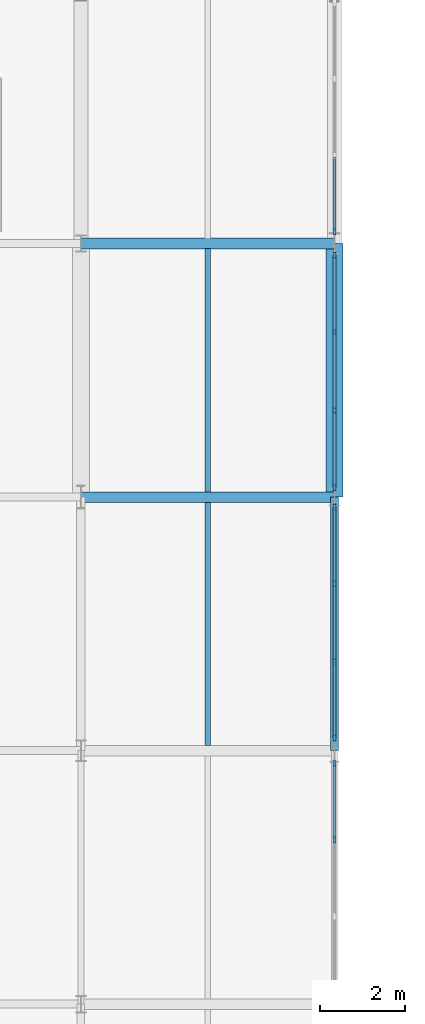
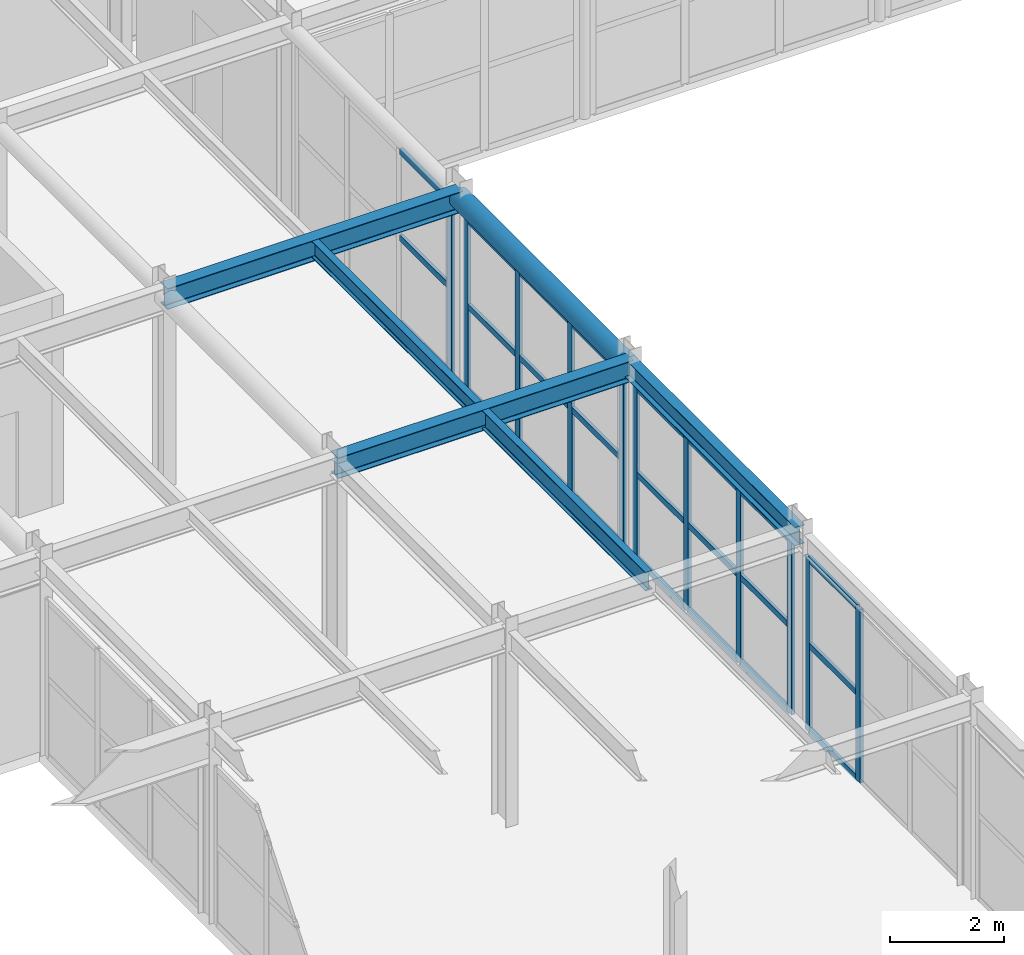
# One storey, part 29 of 84: 35 members, 6 beams, 4 elements without a shape of their own.
"""IFC4 building model written with IfcOpenShell, lengths in metres."""

from ifc_helpers import new_model, si_unit, direction, frame, origin, origin_2d, place, context, subcontext, project, spatial, rectangle, hollow_circle, i_section, extrude, material, material_profile, profile_set, type_object, element, aggregate, save


model = new_model("IFC4")

# Units and contexts
model_context = context("Model", 3, precision=1e-05, world=origin(), true_north=direction((0.0, 1.0)))
body_context = subcontext(model_context, "Body", "Model", "MODEL_VIEW")
ifc_project = project(units=[si_unit("LENGTHUNIT", "METRE"), si_unit("AREAUNIT", "SQUARE_METRE"), si_unit("VOLUMEUNIT", "CUBIC_METRE"), si_unit("PLANEANGLEUNIT", "RADIAN"), si_unit("MASSUNIT", "GRAM", prefix="KILO")], contexts=[model_context])

# Site, building, storey
site_placement = place(None, origin())
site = spatial("IfcSite", under=ifc_project, at=site_placement, CompositionType="ELEMENT")
building_placement = place(site_placement, origin())
building = spatial("IfcBuilding", under=site, at=building_placement, Name="Varnakota Square Police Headquarters", CompositionType="ELEMENT")
storey_placement = place(building_placement, frame((0.0, 0.0, 13.5)))
storey = spatial("IfcBuildingStorey", under=building, at=storey_placement, Name="L03", CompositionType="ELEMENT", Elevation=13.5)

# Beams
ifc_material_1 = material(Name="Steel IS 2062 Grade 350", Category="steel")
ifc_material_profile_1 = material_profile(ifc_material_1, hollow_circle(Radius=0.203125, WallThickness=0.01611328125, at=origin_2d()), Name="CHS 406.4x16.0")
ifc_profile_set_1 = profile_set([ifc_material_profile_1], Name="Steel IS 2062 Grade 350")
beam_type_1 = type_object("IfcBeamType", Name="BM-ARC-CHS406", PredefinedType="BEAM", material=ifc_profile_set_1)
beam_1_placement = place(storey_placement, frame((42.0, 57.0, 3.996826171875), z_axis=(0.0, 1.0, 0.0), x_axis=(-1.0, 0.0, 0.0)))
element("IfcBeam", 1, at=beam_1_placement, inside=storey, type_object=beam_type_1, Name="BMG-L03-2659", PredefinedType="BEAM", context=body_context, shape_type="SweptSolid", body=[
    extrude(hollow_circle(Radius=0.203125, WallThickness=0.01611328125, at=origin_2d()), origin(), (0.0, 0.0, 1.0), 6.0),
])
ifc_material_profile_2 = material_profile(ifc_material_1, i_section(OverallWidth=0.25, OverallDepth=0.449951171875, WebThickness=0.01123046875, FlangeThickness=0.013671875, FilletRadius=0.014892578125, at=origin_2d()), Name="ISHB 450")
ifc_profile_set_2 = profile_set([ifc_material_profile_2], Name="Steel IS 2062 Grade 350")
beam_type_2 = type_object("IfcBeamType", Name="BM-ISHB450", PredefinedType="BEAM", material=ifc_profile_set_2)
for number, where, z_axis, x_axis, name in (
    (2, (36.0, 57.0, 3.97509765625), (1.0, 0.0, 0.0), (0.0, 1.0, 0.0), "BMG-L03-2501"),
    (3, (36.0, 63.0, 3.97509765625), (1.0, 0.0, 0.0), (0.0, 1.0, 0.0), "BMG-L03-2507"),
):
    element("IfcBeam", number, at=place(storey_placement, frame(where, z_axis=z_axis, x_axis=x_axis)), inside=storey, type_object=beam_type_2, Name=name, PredefinedType="BEAM", context=body_context, shape_type="SweptSolid", body=[
        extrude(i_section(OverallWidth=0.25, OverallDepth=0.449951171875, WebThickness=0.01123046875, FlangeThickness=0.013671875, FilletRadius=0.014892578125, at=origin_2d()), origin(), (0.0, 0.0, 1.0), 6.0),
    ])
ifc_material_profile_3 = material_profile(ifc_material_1, i_section(OverallWidth=0.139892578125, OverallDepth=0.35009765625, WebThickness=0.008056640625, FlangeThickness=0.01416015625, FilletRadius=0.013916015625, at=origin_2d()), Name="ISMB 350")
ifc_profile_set_3 = profile_set([ifc_material_profile_3], Name="Steel IS 2062 Grade 350")
beam_type_3 = type_object("IfcBeamType", Name="BM-ISMB350", PredefinedType="JOIST", material=ifc_profile_set_3)
beam_2_placement = place(storey_placement, frame((39.0, 57.123046875, 4.02490234375), z_axis=(0.0, 1.0, 0.0), x_axis=(-1.0, 0.0, 0.0)))
element("IfcBeam", 4, at=beam_2_placement, inside=storey, type_object=beam_type_3, Name="BMG-L03-2796", PredefinedType="JOIST", context=body_context, shape_type="SweptSolid", body=[
    extrude(i_section(OverallWidth=0.139892578125, OverallDepth=0.35009765625, WebThickness=0.008056640625, FlangeThickness=0.01416015625, FilletRadius=0.013916015625, at=origin_2d()), origin(), (0.0, 0.0, 1.0), 5.75390625),
])
ifc_material_profile_4 = material_profile(ifc_material_1, i_section(OverallWidth=0.139892578125, OverallDepth=0.39990234375, WebThickness=0.0087890625, FlangeThickness=0.01611328125, FilletRadius=0.013916015625, at=origin_2d()), Name="ISMB 400")
ifc_profile_set_4 = profile_set([ifc_material_profile_4], Name="Steel IS 2062 Grade 350")
beam_type_4 = type_object("IfcBeamType", Name="BM-ISMB400", PredefinedType="JOIST", material=ifc_profile_set_4)
beam_3_placement = place(storey_placement, frame((39.0, 51.123046875, 4.0), z_axis=(0.0, 1.0, 0.0), x_axis=(-1.0, 0.0, 0.0)))
element("IfcBeam", 5, at=beam_3_placement, inside=storey, type_object=beam_type_4, Name="BMG-L03-2795", PredefinedType="JOIST", context=body_context, shape_type="SweptSolid", body=[
    extrude(i_section(OverallWidth=0.139892578125, OverallDepth=0.39990234375, WebThickness=0.0087890625, FlangeThickness=0.01611328125, FilletRadius=0.013916015625, at=origin_2d()), origin(), (0.0, 0.0, 1.0), 5.75390625),
])
ifc_material_profile_5 = material_profile(ifc_material_1, i_section(OverallWidth=0.199951171875, OverallDepth=0.39990234375, WebThickness=0.008544921875, FlangeThickness=0.012939453125, FilletRadius=0.012939453125, at=origin_2d()), Name="ISWB 400")
ifc_profile_set_5 = profile_set([ifc_material_profile_5], Name="Steel IS 2062 Grade 350")
beam_type_5 = type_object("IfcBeamType", Name="BM-ISWB400", PredefinedType="BEAM", material=ifc_profile_set_5)
beam_4_placement = place(storey_placement, frame((42.0, 51.0, 4.0), z_axis=(0.0, 1.0, 0.0), x_axis=(-1.0, 0.0, 0.0)))
element("IfcBeam", 6, at=beam_4_placement, inside=storey, type_object=beam_type_5, Name="BMG-L03-2658", PredefinedType="BEAM", context=body_context, shape_type="SweptSolid", body=[
    extrude(i_section(OverallWidth=0.199951171875, OverallDepth=0.39990234375, WebThickness=0.008544921875, FlangeThickness=0.012939453125, FilletRadius=0.012939453125, at=origin_2d()), origin(), (0.0, 0.0, 1.0), 6.0),
])

# Curtain wall, members
ifc_material_2 = material(Name="Anodised Aluminium Framing", Category="aluminium")
curtain_wall_type = type_object("IfcCurtainWallType", Name="CW-SYS-D", PredefinedType="NOTDEFINED", material=ifc_material_2)
curtain_wall_1_placement = place(storey_placement, origin())
curtain_wall_1 = element("IfcCurtainWall", 7, at=curtain_wall_1_placement, inside=storey, type_object=curtain_wall_type, Name="Unitised curtain wall CWG-L03-170", PredefinedType="NOTDEFINED")
ifc_material_3 = material(Name="Anodised Aluminium 6063-T6", Category="aluminium")
ifc_material_profile_6 = material_profile(ifc_material_3, rectangle(XDim=0.06494140625, YDim=0.159912109375, at=origin_2d()), Name="ALU MULLION 65x160")
ifc_profile_set_6 = profile_set([ifc_material_profile_6], Name="Anodised Aluminium 6063-T6")
member_type_1 = type_object("IfcMemberType", Name="CWM-150", PredefinedType="MULLION", material=ifc_profile_set_6)
member_1_placement = place(storey_placement, frame((42.0, 48.8984375, 0.0), z_axis=(0.0, 0.0, 1.0), x_axis=(-1.0, 0.0, 0.0)))
member_1 = element("IfcMember", 8, at=member_1_placement, type_object=member_type_1, Name="CWG-L03-170 mullion 3", PredefinedType="MULLION", context=body_context, shape_type="SweptSolid", body=[
    extrude(rectangle(XDim=0.06494140625, YDim=0.159912109375, at=origin_2d()), origin(), (0.0, 0.0, 1.0), 3.739990234375),
])
member_2_placement = place(storey_placement, frame((42.0, 50.6875, 0.0), z_axis=(0.0, 0.0, 1.0), x_axis=(-1.0, 0.0, 0.0)))
member_2 = element("IfcMember", 9, at=member_2_placement, type_object=member_type_1, Name="CWG-L03-170 mullion 4", PredefinedType="MULLION", context=body_context, shape_type="SweptSolid", body=[
    extrude(rectangle(XDim=0.06494140625, YDim=0.159912109375, at=origin_2d()), origin(), (0.0, 0.0, 1.0), 3.739990234375),
])

curtain_wall_2_placement = place(storey_placement, origin())
curtain_wall_2 = element("IfcCurtainWall", 10, at=curtain_wall_2_placement, inside=storey, type_object=curtain_wall_type, Name="Unitised curtain wall CWG-L03-171", PredefinedType="NOTDEFINED")
member_3_placement = place(storey_placement, frame((42.0, 51.3125, 0.0), z_axis=(0.0, 0.0, 1.0), x_axis=(-1.0, 0.0, 0.0)))
member_3 = element("IfcMember", 11, at=member_3_placement, type_object=member_type_1, Name="CWG-L03-171 mullion 1", PredefinedType="MULLION", context=body_context, shape_type="SweptSolid", body=[
    extrude(rectangle(XDim=0.06494140625, YDim=0.159912109375, at=origin_2d()), origin(), (0.0, 0.0, 1.0), 3.739990234375),
])
member_4_placement = place(storey_placement, frame((42.0, 53.118408203125, 0.0), z_axis=(0.0, 0.0, 1.0), x_axis=(-1.0, 0.0, 0.0)))
member_4 = element("IfcMember", 12, at=member_4_placement, type_object=member_type_1, Name="CWG-L03-171 mullion 2", PredefinedType="MULLION", context=body_context, shape_type="SweptSolid", body=[
    extrude(rectangle(XDim=0.06494140625, YDim=0.159912109375, at=origin_2d()), origin(), (0.0, 0.0, 1.0), 3.739990234375),
])
member_5_placement = place(storey_placement, frame((42.0, 54.956787109375, 0.0), z_axis=(0.0, 0.0, 1.0), x_axis=(-1.0, 0.0, 0.0)))
member_5 = element("IfcMember", 13, at=member_5_placement, type_object=member_type_1, Name="CWG-L03-171 mullion 3", PredefinedType="MULLION", context=body_context, shape_type="SweptSolid", body=[
    extrude(rectangle(XDim=0.06494140625, YDim=0.159912109375, at=origin_2d()), origin(), (0.0, 0.0, 1.0), 3.739990234375),
])
member_6_placement = place(storey_placement, frame((42.0, 56.762451171875, 0.0), z_axis=(0.0, 0.0, 1.0), x_axis=(-1.0, 0.0, 0.0)))
member_6 = element("IfcMember", 14, at=member_6_placement, type_object=member_type_1, Name="CWG-L03-171 mullion 4", PredefinedType="MULLION", context=body_context, shape_type="SweptSolid", body=[
    extrude(rectangle(XDim=0.06494140625, YDim=0.159912109375, at=origin_2d()), origin(), (0.0, 0.0, 1.0), 3.739990234375),
])

curtain_wall_3_placement = place(storey_placement, origin())
curtain_wall_3 = element("IfcCurtainWall", 15, at=curtain_wall_3_placement, inside=storey, type_object=curtain_wall_type, Name="Unitised curtain wall CWG-L03-172", PredefinedType="NOTDEFINED")
member_7_placement = place(storey_placement, frame((42.0, 57.237548828125, 0.0), z_axis=(0.0, 0.0, 1.0), x_axis=(-1.0, 0.0, 0.0)))
member_7 = element("IfcMember", 16, at=member_7_placement, type_object=member_type_1, Name="CWG-L03-172 mullion 1", PredefinedType="MULLION", context=body_context, shape_type="SweptSolid", body=[
    extrude(rectangle(XDim=0.06494140625, YDim=0.159912109375, at=origin_2d()), origin(), (0.0, 0.0, 1.0), 3.739990234375),
])
member_8_placement = place(storey_placement, frame((42.0, 59.0517578125, 0.0), z_axis=(0.0, 0.0, 1.0), x_axis=(-1.0, 0.0, 0.0)))
member_8 = element("IfcMember", 17, at=member_8_placement, type_object=member_type_1, Name="CWG-L03-172 mullion 2", PredefinedType="MULLION", context=body_context, shape_type="SweptSolid", body=[
    extrude(rectangle(XDim=0.06494140625, YDim=0.159912109375, at=origin_2d()), origin(), (0.0, 0.0, 1.0), 3.739990234375),
])
member_9_placement = place(storey_placement, frame((42.0, 60.8984375, 0.0), z_axis=(0.0, 0.0, 1.0), x_axis=(-1.0, 0.0, 0.0)))
member_9 = element("IfcMember", 18, at=member_9_placement, type_object=member_type_1, Name="CWG-L03-172 mullion 3", PredefinedType="MULLION", context=body_context, shape_type="SweptSolid", body=[
    extrude(rectangle(XDim=0.06494140625, YDim=0.159912109375, at=origin_2d()), origin(), (0.0, 0.0, 1.0), 3.739990234375),
])
member_10_placement = place(storey_placement, frame((42.0, 62.71240234375, 0.0), z_axis=(0.0, 0.0, 1.0), x_axis=(-1.0, 0.0, 0.0)))
member_10 = element("IfcMember", 19, at=member_10_placement, type_object=member_type_1, Name="CWG-L03-172 mullion 4", PredefinedType="MULLION", context=body_context, shape_type="SweptSolid", body=[
    extrude(rectangle(XDim=0.06494140625, YDim=0.159912109375, at=origin_2d()), origin(), (0.0, 0.0, 1.0), 3.739990234375),
])

# Curtain wall, member
curtain_wall_4_placement = place(storey_placement, origin())
curtain_wall_4 = element("IfcCurtainWall", 20, at=curtain_wall_4_placement, inside=storey, type_object=curtain_wall_type, Name="Unitised curtain wall CWG-L03-173", PredefinedType="NOTDEFINED")
member_11_placement = place(storey_placement, frame((42.0, 63.28759765625, 0.0), z_axis=(0.0, 0.0, 1.0), x_axis=(-1.0, 0.0, 0.0)))
member_11 = element("IfcMember", 21, at=member_11_placement, type_object=member_type_1, Name="CWG-L03-173 mullion 1", PredefinedType="MULLION", context=body_context, shape_type="SweptSolid", body=[
    extrude(rectangle(XDim=0.06494140625, YDim=0.159912109375, at=origin_2d()), origin(), (0.0, 0.0, 1.0), 3.78369140625),
])

# Member
ifc_material_profile_7 = material_profile(ifc_material_3, rectangle(XDim=0.06494140625, YDim=0.1298828125, at=origin_2d()), Name="ALU TRANSOM 65x130")
ifc_profile_set_7 = profile_set([ifc_material_profile_7], Name="Anodised Aluminium 6063-T6")
member_type_2 = type_object("IfcMemberType", Name="CWT-120", PredefinedType="USERDEFINED", material=ifc_profile_set_7)
member_12_placement = place(storey_placement, frame((42.0, 48.930908203125, 0.032470703125), z_axis=(0.0, 1.0, 0.0), x_axis=(-1.0, 0.0, 0.0)))
member_12 = element("IfcMember", 22, at=member_12_placement, type_object=member_type_2, Name="CWG-L03-170 transom 3.1", ObjectType="TRANSOM", PredefinedType="USERDEFINED", context=body_context, shape_type="SweptSolid", body=[
    extrude(rectangle(XDim=0.06494140625, YDim=0.1298828125, at=origin_2d()), origin(), (0.0, 0.0, 1.0), 1.72412109375),
])

member_13_placement = place(storey_placement, frame((42.0, 48.930908203125, 1.8701171875), z_axis=(0.0, 1.0, 0.0), x_axis=(-1.0, 0.0, 0.0)))
member_13 = element("IfcMember", 23, at=member_13_placement, type_object=member_type_2, Name="CWG-L03-170 transom 3.2", ObjectType="TRANSOM", PredefinedType="USERDEFINED", context=body_context, shape_type="SweptSolid", body=[
    extrude(rectangle(XDim=0.06494140625, YDim=0.1298828125, at=origin_2d()), origin(), (0.0, 0.0, 1.0), 1.72412109375),
])

member_14_placement = place(storey_placement, frame((42.0, 48.930908203125, 3.70751953125), z_axis=(0.0, 1.0, 0.0), x_axis=(-1.0, 0.0, 0.0)))
member_14 = element("IfcMember", 24, at=member_14_placement, type_object=member_type_2, Name="CWG-L03-170 transom 3.3", ObjectType="TRANSOM", PredefinedType="USERDEFINED", context=body_context, shape_type="SweptSolid", body=[
    extrude(rectangle(XDim=0.06494140625, YDim=0.1298828125, at=origin_2d()), origin(), (0.0, 0.0, 1.0), 1.72412109375),
])

aggregate(curtain_wall_1, [member_1, member_2, member_12, member_13, member_14])

member_15_placement = place(storey_placement, frame((42.0, 51.344970703125, 0.032470703125), z_axis=(0.0, 1.0, 0.0), x_axis=(-1.0, 0.0, 0.0)))
member_15 = element("IfcMember", 25, at=member_15_placement, type_object=member_type_2, Name="CWG-L03-171 transom 1.1", ObjectType="TRANSOM", PredefinedType="USERDEFINED", context=body_context, shape_type="SweptSolid", body=[
    extrude(rectangle(XDim=0.06494140625, YDim=0.1298828125, at=origin_2d()), origin(), (0.0, 0.0, 1.0), 1.740966796875),
])

member_16_placement = place(storey_placement, frame((42.0, 51.344970703125, 1.8701171875), z_axis=(0.0, 1.0, 0.0), x_axis=(-1.0, 0.0, 0.0)))
member_16 = element("IfcMember", 26, at=member_16_placement, type_object=member_type_2, Name="CWG-L03-171 transom 1.2", ObjectType="TRANSOM", PredefinedType="USERDEFINED", context=body_context, shape_type="SweptSolid", body=[
    extrude(rectangle(XDim=0.06494140625, YDim=0.1298828125, at=origin_2d()), origin(), (0.0, 0.0, 1.0), 1.740966796875),
])

member_17_placement = place(storey_placement, frame((42.0, 51.344970703125, 3.70751953125), z_axis=(0.0, 1.0, 0.0), x_axis=(-1.0, 0.0, 0.0)))
member_17 = element("IfcMember", 27, at=member_17_placement, type_object=member_type_2, Name="CWG-L03-171 transom 1.3", ObjectType="TRANSOM", PredefinedType="USERDEFINED", context=body_context, shape_type="SweptSolid", body=[
    extrude(rectangle(XDim=0.06494140625, YDim=0.1298828125, at=origin_2d()), origin(), (0.0, 0.0, 1.0), 1.740966796875),
])

member_18_placement = place(storey_placement, frame((42.0, 53.15087890625, 0.032470703125), z_axis=(0.0, 1.0, 0.0), x_axis=(-1.0, 0.0, 0.0)))
member_18 = element("IfcMember", 28, at=member_18_placement, type_object=member_type_2, Name="CWG-L03-171 transom 2.1", ObjectType="TRANSOM", PredefinedType="USERDEFINED", context=body_context, shape_type="SweptSolid", body=[
    extrude(rectangle(XDim=0.06494140625, YDim=0.1298828125, at=origin_2d()), origin(), (0.0, 0.0, 1.0), 1.773193359375),
])

member_19_placement = place(storey_placement, frame((42.0, 53.15087890625, 1.8701171875), z_axis=(0.0, 1.0, 0.0), x_axis=(-1.0, 0.0, 0.0)))
member_19 = element("IfcMember", 29, at=member_19_placement, type_object=member_type_2, Name="CWG-L03-171 transom 2.2", ObjectType="TRANSOM", PredefinedType="USERDEFINED", context=body_context, shape_type="SweptSolid", body=[
    extrude(rectangle(XDim=0.06494140625, YDim=0.1298828125, at=origin_2d()), origin(), (0.0, 0.0, 1.0), 1.773193359375),
])

member_20_placement = place(storey_placement, frame((42.0, 53.15087890625, 3.70751953125), z_axis=(0.0, 1.0, 0.0), x_axis=(-1.0, 0.0, 0.0)))
member_20 = element("IfcMember", 30, at=member_20_placement, type_object=member_type_2, Name="CWG-L03-171 transom 2.3", ObjectType="TRANSOM", PredefinedType="USERDEFINED", context=body_context, shape_type="SweptSolid", body=[
    extrude(rectangle(XDim=0.06494140625, YDim=0.1298828125, at=origin_2d()), origin(), (0.0, 0.0, 1.0), 1.773193359375),
])

member_21_placement = place(storey_placement, frame((42.0, 54.9892578125, 0.032470703125), z_axis=(0.0, 1.0, 0.0), x_axis=(-1.0, 0.0, 0.0)))
member_21 = element("IfcMember", 31, at=member_21_placement, type_object=member_type_2, Name="CWG-L03-171 transom 3.1", ObjectType="TRANSOM", PredefinedType="USERDEFINED", context=body_context, shape_type="SweptSolid", body=[
    extrude(rectangle(XDim=0.06494140625, YDim=0.1298828125, at=origin_2d()), origin(), (0.0, 0.0, 1.0), 1.74072265625),
])

member_22_placement = place(storey_placement, frame((42.0, 54.9892578125, 1.8701171875), z_axis=(0.0, 1.0, 0.0), x_axis=(-1.0, 0.0, 0.0)))
member_22 = element("IfcMember", 32, at=member_22_placement, type_object=member_type_2, Name="CWG-L03-171 transom 3.2", ObjectType="TRANSOM", PredefinedType="USERDEFINED", context=body_context, shape_type="SweptSolid", body=[
    extrude(rectangle(XDim=0.06494140625, YDim=0.1298828125, at=origin_2d()), origin(), (0.0, 0.0, 1.0), 1.74072265625),
])

member_23_placement = place(storey_placement, frame((42.0, 54.9892578125, 3.70751953125), z_axis=(0.0, 1.0, 0.0), x_axis=(-1.0, 0.0, 0.0)))
member_23 = element("IfcMember", 33, at=member_23_placement, type_object=member_type_2, Name="CWG-L03-171 transom 3.3", ObjectType="TRANSOM", PredefinedType="USERDEFINED", context=body_context, shape_type="SweptSolid", body=[
    extrude(rectangle(XDim=0.06494140625, YDim=0.1298828125, at=origin_2d()), origin(), (0.0, 0.0, 1.0), 1.74072265625),
])

aggregate(curtain_wall_2, [member_3, member_4, member_5, member_6, member_15, member_16, member_17, member_18, member_19, member_20, member_21, member_22, member_23])

member_24_placement = place(storey_placement, frame((42.0, 57.27001953125, 0.032470703125), z_axis=(0.0, 1.0, 0.0), x_axis=(-1.0, 0.0, 0.0)))
member_24 = element("IfcMember", 34, at=member_24_placement, type_object=member_type_2, Name="CWG-L03-172 transom 1.1", ObjectType="TRANSOM", PredefinedType="USERDEFINED", context=body_context, shape_type="SweptSolid", body=[
    extrude(rectangle(XDim=0.06494140625, YDim=0.1298828125, at=origin_2d()), origin(), (0.0, 0.0, 1.0), 1.749267578125),
])

member_25_placement = place(storey_placement, frame((42.0, 57.27001953125, 1.8701171875), z_axis=(0.0, 1.0, 0.0), x_axis=(-1.0, 0.0, 0.0)))
member_25 = element("IfcMember", 35, at=member_25_placement, type_object=member_type_2, Name="CWG-L03-172 transom 1.2", ObjectType="TRANSOM", PredefinedType="USERDEFINED", context=body_context, shape_type="SweptSolid", body=[
    extrude(rectangle(XDim=0.06494140625, YDim=0.1298828125, at=origin_2d()), origin(), (0.0, 0.0, 1.0), 1.749267578125),
])

member_26_placement = place(storey_placement, frame((42.0, 57.27001953125, 3.70751953125), z_axis=(0.0, 1.0, 0.0), x_axis=(-1.0, 0.0, 0.0)))
member_26 = element("IfcMember", 36, at=member_26_placement, type_object=member_type_2, Name="CWG-L03-172 transom 1.3", ObjectType="TRANSOM", PredefinedType="USERDEFINED", context=body_context, shape_type="SweptSolid", body=[
    extrude(rectangle(XDim=0.06494140625, YDim=0.1298828125, at=origin_2d()), origin(), (0.0, 0.0, 1.0), 1.749267578125),
])

member_27_placement = place(storey_placement, frame((42.0, 59.084228515625, 0.032470703125), z_axis=(0.0, 1.0, 0.0), x_axis=(-1.0, 0.0, 0.0)))
member_27 = element("IfcMember", 37, at=member_27_placement, type_object=member_type_2, Name="CWG-L03-172 transom 2.1", ObjectType="TRANSOM", PredefinedType="USERDEFINED", context=body_context, shape_type="SweptSolid", body=[
    extrude(rectangle(XDim=0.06494140625, YDim=0.1298828125, at=origin_2d()), origin(), (0.0, 0.0, 1.0), 1.781494140625),
])

member_28_placement = place(storey_placement, frame((42.0, 59.084228515625, 1.8701171875), z_axis=(0.0, 1.0, 0.0), x_axis=(-1.0, 0.0, 0.0)))
member_28 = element("IfcMember", 38, at=member_28_placement, type_object=member_type_2, Name="CWG-L03-172 transom 2.2", ObjectType="TRANSOM", PredefinedType="USERDEFINED", context=body_context, shape_type="SweptSolid", body=[
    extrude(rectangle(XDim=0.06494140625, YDim=0.1298828125, at=origin_2d()), origin(), (0.0, 0.0, 1.0), 1.781494140625),
])

member_29_placement = place(storey_placement, frame((42.0, 59.084228515625, 3.70751953125), z_axis=(0.0, 1.0, 0.0), x_axis=(-1.0, 0.0, 0.0)))
member_29 = element("IfcMember", 39, at=member_29_placement, type_object=member_type_2, Name="CWG-L03-172 transom 2.3", ObjectType="TRANSOM", PredefinedType="USERDEFINED", context=body_context, shape_type="SweptSolid", body=[
    extrude(rectangle(XDim=0.06494140625, YDim=0.1298828125, at=origin_2d()), origin(), (0.0, 0.0, 1.0), 1.781494140625),
])

member_30_placement = place(storey_placement, frame((42.0, 60.930908203125, 0.032470703125), z_axis=(0.0, 1.0, 0.0), x_axis=(-1.0, 0.0, 0.0)))
member_30 = element("IfcMember", 40, at=member_30_placement, type_object=member_type_2, Name="CWG-L03-172 transom 3.1", ObjectType="TRANSOM", PredefinedType="USERDEFINED", context=body_context, shape_type="SweptSolid", body=[
    extrude(rectangle(XDim=0.06494140625, YDim=0.1298828125, at=origin_2d()), origin(), (0.0, 0.0, 1.0), 1.7490234375),
])

member_31_placement = place(storey_placement, frame((42.0, 60.930908203125, 1.8701171875), z_axis=(0.0, 1.0, 0.0), x_axis=(-1.0, 0.0, 0.0)))
member_31 = element("IfcMember", 41, at=member_31_placement, type_object=member_type_2, Name="CWG-L03-172 transom 3.2", ObjectType="TRANSOM", PredefinedType="USERDEFINED", context=body_context, shape_type="SweptSolid", body=[
    extrude(rectangle(XDim=0.06494140625, YDim=0.1298828125, at=origin_2d()), origin(), (0.0, 0.0, 1.0), 1.7490234375),
])

member_32_placement = place(storey_placement, frame((42.0, 60.930908203125, 3.70751953125), z_axis=(0.0, 1.0, 0.0), x_axis=(-1.0, 0.0, 0.0)))
member_32 = element("IfcMember", 42, at=member_32_placement, type_object=member_type_2, Name="CWG-L03-172 transom 3.3", ObjectType="TRANSOM", PredefinedType="USERDEFINED", context=body_context, shape_type="SweptSolid", body=[
    extrude(rectangle(XDim=0.06494140625, YDim=0.1298828125, at=origin_2d()), origin(), (0.0, 0.0, 1.0), 1.7490234375),
])

aggregate(curtain_wall_3, [member_7, member_8, member_9, member_10, member_24, member_25, member_26, member_27, member_28, member_29, member_30, member_31, member_32])

member_33_placement = place(storey_placement, frame((42.0, 63.320068359375, 0.032470703125), z_axis=(0.0, 1.0, 0.0), x_axis=(-1.0, 0.0, 0.0)))
member_33 = element("IfcMember", 43, at=member_33_placement, type_object=member_type_2, Name="CWG-L03-173 transom 1.1", ObjectType="TRANSOM", PredefinedType="USERDEFINED", context=body_context, shape_type="SweptSolid", body=[
    extrude(rectangle(XDim=0.06494140625, YDim=0.1298828125, at=origin_2d()), origin(), (0.0, 0.0, 1.0), 1.72412109375),
])

member_34_placement = place(storey_placement, frame((42.0, 63.320068359375, 1.891845703125), z_axis=(0.0, 1.0, 0.0), x_axis=(-1.0, 0.0, 0.0)))
member_34 = element("IfcMember", 44, at=member_34_placement, type_object=member_type_2, Name="CWG-L03-173 transom 1.2", ObjectType="TRANSOM", PredefinedType="USERDEFINED", context=body_context, shape_type="SweptSolid", body=[
    extrude(rectangle(XDim=0.06494140625, YDim=0.1298828125, at=origin_2d()), origin(), (0.0, 0.0, 1.0), 1.72412109375),
])

member_35_placement = place(storey_placement, frame((42.0, 63.320068359375, 3.751220703125), z_axis=(0.0, 1.0, 0.0), x_axis=(-1.0, 0.0, 0.0)))
member_35 = element("IfcMember", 45, at=member_35_placement, type_object=member_type_2, Name="CWG-L03-173 transom 1.3", ObjectType="TRANSOM", PredefinedType="USERDEFINED", context=body_context, shape_type="SweptSolid", body=[
    extrude(rectangle(XDim=0.06494140625, YDim=0.1298828125, at=origin_2d()), origin(), (0.0, 0.0, 1.0), 1.72412109375),
])

aggregate(curtain_wall_4, [member_11, member_33, member_34, member_35])

save(model, "model.ifc")
